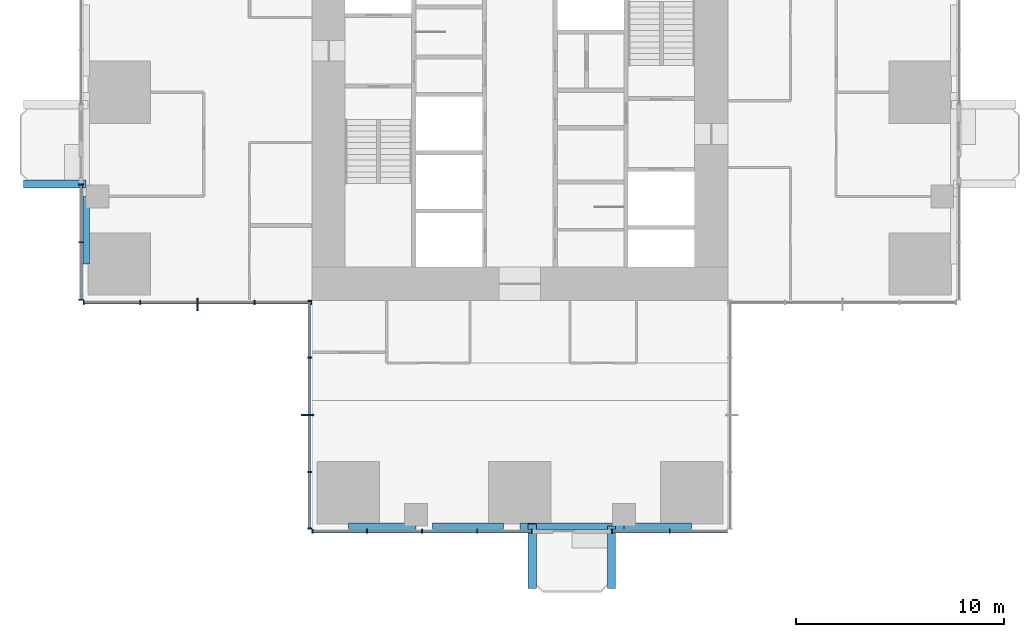
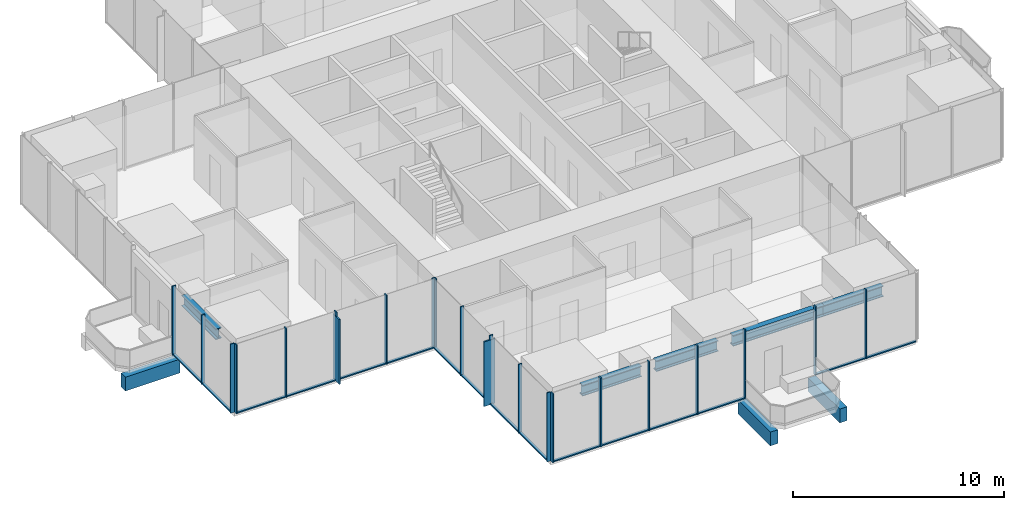
# One storey, part 2 of 13: 38 members, 8 beams, 5 elements without a shape of their own.
"""IFC4 building model written with IfcOpenShell, lengths in metres."""

from ifc_helpers import new_model, si_unit, direction, frame, origin, origin_2d, place, context, subcontext, project, spatial, rectangle, i_section, extrude, material, material_profile, profile_set, type_object, element, aggregate, save


model = new_model("IFC4")

# Units and contexts
model_context = context("Model", 3, precision=1e-05, world=origin(), true_north=direction((0.0, 1.0)))
body_context = subcontext(model_context, "Body", "Model", "MODEL_VIEW")
ifc_project = project(units=[si_unit("LENGTHUNIT", "METRE"), si_unit("AREAUNIT", "SQUARE_METRE"), si_unit("VOLUMEUNIT", "CUBIC_METRE"), si_unit("PLANEANGLEUNIT", "RADIAN"), si_unit("MASSUNIT", "GRAM", prefix="KILO")], contexts=[model_context])

# Site, building, storey
site_placement = place(None, origin())
site = spatial("IfcSite", under=ifc_project, at=site_placement, CompositionType="ELEMENT")
building_placement = place(site_placement, origin())
building = spatial("IfcBuilding", under=site, at=building_placement, Name="Svetlomir Tower", CompositionType="ELEMENT")
storey_placement = place(building_placement, frame((0.0, 0.0, 136.5)))
storey = spatial("IfcBuildingStorey", under=building, at=storey_placement, Name="L32", CompositionType="ELEMENT", Elevation=136.5)

# Beams
ifc_material_1 = material(Name="Concrete C60/75", Category="concrete")
ifc_material_profile_1 = material_profile(ifc_material_1, rectangle(XDim=0.39990234375, YDim=0.800048828125, at=origin_2d()), Name="RC 400x800")
ifc_profile_set_1 = profile_set([ifc_material_profile_1], Name="Concrete C60/75")
beam_type_1 = type_object("IfcBeamType", Name="BALCONY RIB RC 400x800", PredefinedType="BEAM", material=ifc_profile_set_1)
beam_1_placement = place(storey_placement, frame((21.60009765625, 0.25, -0.64990234375), z_axis=(0.0, -1.0, 0.0), x_axis=(1.0, 0.0, 0.0)))
element("IfcBeam", 1, at=beam_1_placement, inside=storey, type_object=beam_type_1, Name="Balcony rib S 1 L32", PredefinedType="BEAM", context=body_context, shape_type="SweptSolid", body=[
    extrude(rectangle(XDim=0.39990234375, YDim=0.800048828125, at=origin_2d()), origin(), (0.0, 0.0, 1.0), 3.10009765625),
])
for number, where, z_axis, x_axis, name in (
    (2, (25.39990234375, 0.14990234375, -0.64990234375), (0.0, -1.0, 0.0), (1.0, 0.0, 0.0), "Balcony rib S 2 L32"),
    (3, (0.14990234375, 16.60009765625, -0.64990234375), (-1.0, 0.0, 0.0), (0.0, -1.0, 0.0), "Balcony rib W 1 L32"),
):
    element("IfcBeam", number, at=place(storey_placement, frame(where, z_axis=z_axis, x_axis=x_axis)), inside=storey, type_object=beam_type_1, Name=name, PredefinedType="BEAM", context=body_context, shape_type="SweptSolid", body=[
        extrude(rectangle(XDim=0.39990234375, YDim=0.800048828125, at=origin_2d()), origin(), (0.0, 0.0, 1.0), 3.0),
    ])

# Curtain wall, member
ifc_material_2 = material(Name="Bronze anodised aluminium curtain wall", Category="aluminium")
curtain_wall_type = type_object("IfcCurtainWallType", Name="CURTAIN WALL CW1 TOWER OFFICE", PredefinedType="NOTDEFINED", material=ifc_material_2)
curtain_wall_1_placement = place(storey_placement, origin())
curtain_wall_1 = element("IfcCurtainWall", 4, at=curtain_wall_1_placement, inside=storey, type_object=curtain_wall_type, Name="Curtain wall CW1 L32", PredefinedType="NOTDEFINED")
ifc_material_3 = material(Name="Bronze anodised aluminium", Category="aluminium")
ifc_material_profile_2 = material_profile(ifc_material_3, rectangle(XDim=0.080078125, YDim=0.60009765625, at=origin_2d()), Name="FIN 80x600")
ifc_profile_set_2 = profile_set([ifc_material_profile_2], Name="Bronze anodised aluminium 6063-T6")
member_type_1 = type_object("IfcMemberType", Name="BRONZE FIN 80x600", PredefinedType="USERDEFINED", material=ifc_profile_set_2)
member_1_placement = place(storey_placement, frame((5.5, 10.800048828125, 0.0), z_axis=(0.0, 0.0, 1.0), x_axis=(1.0, 0.0, 0.0)))
member_1 = element("IfcMember", 5, at=member_1_placement, type_object=member_type_1, Name="Bronze fin L32", ObjectType="FIN", PredefinedType="USERDEFINED", context=body_context, shape_type="SweptSolid", body=[
    extrude(rectangle(XDim=0.080078125, YDim=0.60009765625, at=origin_2d()), origin(), (0.0, 0.0, 1.0), 3.75),
])

curtain_wall_2_placement = place(storey_placement, origin())
curtain_wall_2 = element("IfcCurtainWall", 6, at=curtain_wall_2_placement, inside=storey, type_object=curtain_wall_type, Name="Curtain wall CW1 L32", PredefinedType="NOTDEFINED")
member_2_placement = place(storey_placement, frame((10.800048828125, 5.5, 0.0), z_axis=(0.0, 0.0, 1.0), x_axis=(0.0, 1.0, 0.0)))
member_2 = element("IfcMember", 7, at=member_2_placement, type_object=member_type_1, Name="Bronze fin L32", ObjectType="FIN", PredefinedType="USERDEFINED", context=body_context, shape_type="SweptSolid", body=[
    extrude(rectangle(XDim=0.080078125, YDim=0.60009765625, at=origin_2d()), origin(), (0.0, 0.0, 1.0), 3.75),
])

# Curtain wall, members
curtain_wall_3_placement = place(storey_placement, origin())
curtain_wall_3 = element("IfcCurtainWall", 8, at=curtain_wall_3_placement, inside=storey, type_object=curtain_wall_type, Name="Curtain wall CW1 L32", PredefinedType="NOTDEFINED")
ifc_material_4 = material(Name="Bronze anodised aluminium", Category="aluminium")
ifc_material_profile_3 = material_profile(ifc_material_4, rectangle(XDim=0.06494140625, YDim=0.199951171875, at=origin_2d()), Name="AL 65x200")
ifc_profile_set_3 = profile_set([ifc_material_profile_3], Name="Bronze anodised aluminium 6063-T6")
member_type_2 = type_object("IfcMemberType", Name="CW1 MULLION 65x200", PredefinedType="MULLION", material=ifc_profile_set_3)
member_3_placement = place(storey_placement, frame((11.032470703125, -0.10009765625, 0.0), z_axis=(0.0, 0.0, 1.0), x_axis=(1.0, 0.0, 0.0)))
member_3 = element("IfcMember", 9, at=member_3_placement, type_object=member_type_2, Name="CW1 mullion 1", PredefinedType="MULLION", context=body_context, shape_type="SweptSolid", body=[
    extrude(rectangle(XDim=0.06494140625, YDim=0.199951171875, at=origin_2d()), origin(), (0.0, 0.0, 1.0), 4.0),
])
member_4_placement = place(storey_placement, frame((13.64990234375, -0.10009765625, 0.0), z_axis=(0.0, 0.0, 1.0), x_axis=(1.0, 0.0, 0.0)))
member_4 = element("IfcMember", 10, at=member_4_placement, type_object=member_type_2, Name="CW1 mullion 2", PredefinedType="MULLION", context=body_context, shape_type="SweptSolid", body=[
    extrude(rectangle(XDim=0.06494140625, YDim=0.199951171875, at=origin_2d()), origin(), (0.0, 0.0, 1.0), 4.0),
])
member_5_placement = place(storey_placement, frame((16.300048828125, -0.10009765625, 0.0), z_axis=(0.0, 0.0, 1.0), x_axis=(1.0, 0.0, 0.0)))
member_5 = element("IfcMember", 11, at=member_5_placement, type_object=member_type_2, Name="CW1 mullion 3", PredefinedType="MULLION", context=body_context, shape_type="SweptSolid", body=[
    extrude(rectangle(XDim=0.06494140625, YDim=0.199951171875, at=origin_2d()), origin(), (0.0, 0.0, 1.0), 4.0),
])
member_6_placement = place(storey_placement, frame((18.949951171875, -0.10009765625, 0.0), z_axis=(0.0, 0.0, 1.0), x_axis=(1.0, 0.0, 0.0)))
member_6 = element("IfcMember", 12, at=member_6_placement, type_object=member_type_2, Name="CW1 mullion 4", PredefinedType="MULLION", context=body_context, shape_type="SweptSolid", body=[
    extrude(rectangle(XDim=0.06494140625, YDim=0.199951171875, at=origin_2d()), origin(), (0.0, 0.0, 1.0), 4.0),
])
member_7_placement = place(storey_placement, frame((21.5673828125, -0.10009765625, 0.0), z_axis=(0.0, 0.0, 1.0), x_axis=(1.0, 0.0, 0.0)))
member_7 = element("IfcMember", 13, at=member_7_placement, type_object=member_type_2, Name="CW1 mullion 5", PredefinedType="MULLION", context=body_context, shape_type="SweptSolid", body=[
    extrude(rectangle(XDim=0.06494140625, YDim=0.199951171875, at=origin_2d()), origin(), (0.0, 0.0, 1.0), 4.0),
])

curtain_wall_4_placement = place(storey_placement, origin())
curtain_wall_4 = element("IfcCurtainWall", 14, at=curtain_wall_4_placement, inside=storey, type_object=curtain_wall_type, Name="Curtain wall CW1 L32", PredefinedType="NOTDEFINED")
member_8_placement = place(storey_placement, frame((25.4326171875, -0.10009765625, 0.0), z_axis=(0.0, 0.0, 1.0), x_axis=(1.0, 0.0, 0.0)))
member_8 = element("IfcMember", 15, at=member_8_placement, type_object=member_type_2, Name="CW1 mullion 1", PredefinedType="MULLION", context=body_context, shape_type="SweptSolid", body=[
    extrude(rectangle(XDim=0.06494140625, YDim=0.199951171875, at=origin_2d()), origin(), (0.0, 0.0, 1.0), 4.0),
])
member_9_placement = place(storey_placement, frame((28.199951171875, -0.10009765625, 0.0), z_axis=(0.0, 0.0, 1.0), x_axis=(1.0, 0.0, 0.0)))
member_9 = element("IfcMember", 16, at=member_9_placement, type_object=member_type_2, Name="CW1 mullion 2", PredefinedType="MULLION", context=body_context, shape_type="SweptSolid", body=[
    extrude(rectangle(XDim=0.06494140625, YDim=0.199951171875, at=origin_2d()), origin(), (0.0, 0.0, 1.0), 4.0),
])

curtain_wall_5_placement = place(storey_placement, origin())
curtain_wall_5 = element("IfcCurtainWall", 17, at=curtain_wall_5_placement, inside=storey, type_object=curtain_wall_type, Name="Curtain wall CW1 L32", PredefinedType="NOTDEFINED")
member_10_placement = place(storey_placement, frame((-0.10009765625, 16.5673828125, 0.0), z_axis=(0.0, 0.0, 1.0), x_axis=(0.0, -1.0, 0.0)))
member_10 = element("IfcMember", 18, at=member_10_placement, type_object=member_type_2, Name="CW1 mullion 1", PredefinedType="MULLION", context=body_context, shape_type="SweptSolid", body=[
    extrude(rectangle(XDim=0.06494140625, YDim=0.199951171875, at=origin_2d()), origin(), (0.0, 0.0, 1.0), 4.0),
])
member_11_placement = place(storey_placement, frame((-0.10009765625, 13.800048828125, 0.0), z_axis=(0.0, 0.0, 1.0), x_axis=(0.0, -1.0, 0.0)))
member_11 = element("IfcMember", 19, at=member_11_placement, type_object=member_type_2, Name="CW1 mullion 2", PredefinedType="MULLION", context=body_context, shape_type="SweptSolid", body=[
    extrude(rectangle(XDim=0.06494140625, YDim=0.199951171875, at=origin_2d()), origin(), (0.0, 0.0, 1.0), 4.0),
])
member_12_placement = place(storey_placement, frame((-0.10009765625, 11.032470703125, 0.0), z_axis=(0.0, 0.0, 1.0), x_axis=(0.0, -1.0, 0.0)))
member_12 = element("IfcMember", 20, at=member_12_placement, type_object=member_type_2, Name="CW1 mullion 3", PredefinedType="MULLION", context=body_context, shape_type="SweptSolid", body=[
    extrude(rectangle(XDim=0.06494140625, YDim=0.199951171875, at=origin_2d()), origin(), (0.0, 0.0, 1.0), 4.0),
])

# Member
member_13_placement = place(storey_placement, frame((0.032470703125, 10.89990234375, 0.0), z_axis=(0.0, 0.0, 1.0), x_axis=(1.0, 0.0, 0.0)))
member_13 = element("IfcMember", 21, at=member_13_placement, type_object=member_type_2, Name="CW1 mullion 1", PredefinedType="MULLION", context=body_context, shape_type="SweptSolid", body=[
    extrude(rectangle(XDim=0.06494140625, YDim=0.199951171875, at=origin_2d()), origin(), (0.0, 0.0, 1.0), 4.0),
])

member_14_placement = place(storey_placement, frame((2.75, 10.89990234375, 0.0), z_axis=(0.0, 0.0, 1.0), x_axis=(1.0, 0.0, 0.0)))
member_14 = element("IfcMember", 22, at=member_14_placement, type_object=member_type_2, Name="CW1 mullion 2", PredefinedType="MULLION", context=body_context, shape_type="SweptSolid", body=[
    extrude(rectangle(XDim=0.06494140625, YDim=0.199951171875, at=origin_2d()), origin(), (0.0, 0.0, 1.0), 4.0),
])

member_15_placement = place(storey_placement, frame((5.5, 10.89990234375, 0.0), z_axis=(0.0, 0.0, 1.0), x_axis=(1.0, 0.0, 0.0)))
member_15 = element("IfcMember", 23, at=member_15_placement, type_object=member_type_2, Name="CW1 mullion 3", PredefinedType="MULLION", context=body_context, shape_type="SweptSolid", body=[
    extrude(rectangle(XDim=0.06494140625, YDim=0.199951171875, at=origin_2d()), origin(), (0.0, 0.0, 1.0), 4.0),
])

member_16_placement = place(storey_placement, frame((8.25, 10.89990234375, 0.0), z_axis=(0.0, 0.0, 1.0), x_axis=(1.0, 0.0, 0.0)))
member_16 = element("IfcMember", 24, at=member_16_placement, type_object=member_type_2, Name="CW1 mullion 4", PredefinedType="MULLION", context=body_context, shape_type="SweptSolid", body=[
    extrude(rectangle(XDim=0.06494140625, YDim=0.199951171875, at=origin_2d()), origin(), (0.0, 0.0, 1.0), 4.0),
])

member_17_placement = place(storey_placement, frame((10.967529296875, 10.89990234375, 0.0), z_axis=(0.0, 0.0, 1.0), x_axis=(1.0, 0.0, 0.0)))
member_17 = element("IfcMember", 25, at=member_17_placement, type_object=member_type_2, Name="CW1 mullion 5", PredefinedType="MULLION", context=body_context, shape_type="SweptSolid", body=[
    extrude(rectangle(XDim=0.06494140625, YDim=0.199951171875, at=origin_2d()), origin(), (0.0, 0.0, 1.0), 4.0),
])

member_18_placement = place(storey_placement, frame((10.89990234375, 10.967529296875, 0.0), z_axis=(0.0, 0.0, 1.0), x_axis=(0.0, -1.0, 0.0)))
member_18 = element("IfcMember", 26, at=member_18_placement, type_object=member_type_2, Name="CW1 mullion 1", PredefinedType="MULLION", context=body_context, shape_type="SweptSolid", body=[
    extrude(rectangle(XDim=0.06494140625, YDim=0.199951171875, at=origin_2d()), origin(), (0.0, 0.0, 1.0), 4.0),
])

member_19_placement = place(storey_placement, frame((10.89990234375, 8.25, 0.0), z_axis=(0.0, 0.0, 1.0), x_axis=(0.0, -1.0, 0.0)))
member_19 = element("IfcMember", 27, at=member_19_placement, type_object=member_type_2, Name="CW1 mullion 2", PredefinedType="MULLION", context=body_context, shape_type="SweptSolid", body=[
    extrude(rectangle(XDim=0.06494140625, YDim=0.199951171875, at=origin_2d()), origin(), (0.0, 0.0, 1.0), 4.0),
])

member_20_placement = place(storey_placement, frame((10.89990234375, 5.5, 0.0), z_axis=(0.0, 0.0, 1.0), x_axis=(0.0, -1.0, 0.0)))
member_20 = element("IfcMember", 28, at=member_20_placement, type_object=member_type_2, Name="CW1 mullion 3", PredefinedType="MULLION", context=body_context, shape_type="SweptSolid", body=[
    extrude(rectangle(XDim=0.06494140625, YDim=0.199951171875, at=origin_2d()), origin(), (0.0, 0.0, 1.0), 4.0),
])

member_21_placement = place(storey_placement, frame((10.89990234375, 2.75, 0.0), z_axis=(0.0, 0.0, 1.0), x_axis=(0.0, -1.0, 0.0)))
member_21 = element("IfcMember", 29, at=member_21_placement, type_object=member_type_2, Name="CW1 mullion 4", PredefinedType="MULLION", context=body_context, shape_type="SweptSolid", body=[
    extrude(rectangle(XDim=0.06494140625, YDim=0.199951171875, at=origin_2d()), origin(), (0.0, 0.0, 1.0), 4.0),
])

member_22_placement = place(storey_placement, frame((10.89990234375, 0.032470703125, 0.0), z_axis=(0.0, 0.0, 1.0), x_axis=(0.0, -1.0, 0.0)))
member_22 = element("IfcMember", 30, at=member_22_placement, type_object=member_type_2, Name="CW1 mullion 5", PredefinedType="MULLION", context=body_context, shape_type="SweptSolid", body=[
    extrude(rectangle(XDim=0.06494140625, YDim=0.199951171875, at=origin_2d()), origin(), (0.0, 0.0, 1.0), 4.0),
])

ifc_material_5 = material(Name="Bronze anodised aluminium", Category="aluminium")
ifc_material_profile_4 = material_profile(ifc_material_5, rectangle(XDim=0.139892578125, YDim=0.06494140625, at=origin_2d()), Name="AL 140x65")
ifc_profile_set_4 = profile_set([ifc_material_profile_4], Name="Bronze anodised aluminium 6063-T6")
member_type_3 = type_object("IfcMemberType", Name="CW1 TRANSOM 65x140", PredefinedType="USERDEFINED", material=ifc_profile_set_4)
member_23_placement = place(storey_placement, frame((11.06494140625, -0.10009765625, 0.032470703125), z_axis=(1.0, 0.0, 0.0), x_axis=(0.0, 1.0, 0.0)))
member_23 = element("IfcMember", 31, at=member_23_placement, type_object=member_type_3, Name="CW1 transom 1.1", ObjectType="TRANSOM", PredefinedType="USERDEFINED", context=body_context, shape_type="SweptSolid", body=[
    extrude(rectangle(XDim=0.139892578125, YDim=0.06494140625, at=origin_2d()), origin(), (0.0, 0.0, 1.0), 2.552490234375),
])

member_24_placement = place(storey_placement, frame((13.6826171875, -0.10009765625, 0.032470703125), z_axis=(1.0, 0.0, 0.0), x_axis=(0.0, 1.0, 0.0)))
member_24 = element("IfcMember", 32, at=member_24_placement, type_object=member_type_3, Name="CW1 transom 2.1", ObjectType="TRANSOM", PredefinedType="USERDEFINED", context=body_context, shape_type="SweptSolid", body=[
    extrude(rectangle(XDim=0.139892578125, YDim=0.06494140625, at=origin_2d()), origin(), (0.0, 0.0, 1.0), 2.5849609375),
])

member_25_placement = place(storey_placement, frame((16.33251953125, -0.10009765625, 0.032470703125), z_axis=(1.0, 0.0, 0.0), x_axis=(0.0, 1.0, 0.0)))
member_25 = element("IfcMember", 33, at=member_25_placement, type_object=member_type_3, Name="CW1 transom 3.1", ObjectType="TRANSOM", PredefinedType="USERDEFINED", context=body_context, shape_type="SweptSolid", body=[
    extrude(rectangle(XDim=0.139892578125, YDim=0.06494140625, at=origin_2d()), origin(), (0.0, 0.0, 1.0), 2.5849609375),
])

member_26_placement = place(storey_placement, frame((18.982421875, -0.10009765625, 0.032470703125), z_axis=(1.0, 0.0, 0.0), x_axis=(0.0, 1.0, 0.0)))
member_26 = element("IfcMember", 34, at=member_26_placement, type_object=member_type_3, Name="CW1 transom 4.1", ObjectType="TRANSOM", PredefinedType="USERDEFINED", context=body_context, shape_type="SweptSolid", body=[
    extrude(rectangle(XDim=0.139892578125, YDim=0.06494140625, at=origin_2d()), origin(), (0.0, 0.0, 1.0), 2.552490234375),
])

aggregate(curtain_wall_3, [member_3, member_4, member_5, member_6, member_7, member_23, member_24, member_25, member_26])

member_27_placement = place(storey_placement, frame((25.465087890625, -0.10009765625, 0.032470703125), z_axis=(1.0, 0.0, 0.0), x_axis=(0.0, 1.0, 0.0)))
member_27 = element("IfcMember", 35, at=member_27_placement, type_object=member_type_3, Name="CW1 transom 1.1", ObjectType="TRANSOM", PredefinedType="USERDEFINED", context=body_context, shape_type="SweptSolid", body=[
    extrude(rectangle(XDim=0.139892578125, YDim=0.06494140625, at=origin_2d()), origin(), (0.0, 0.0, 1.0), 2.702392578125),
])

member_28_placement = place(storey_placement, frame((28.232421875, -0.10009765625, 0.032470703125), z_axis=(1.0, 0.0, 0.0), x_axis=(0.0, 1.0, 0.0)))
member_28 = element("IfcMember", 36, at=member_28_placement, type_object=member_type_3, Name="CW1 transom 2.1", ObjectType="TRANSOM", PredefinedType="USERDEFINED", context=body_context, shape_type="SweptSolid", body=[
    extrude(rectangle(XDim=0.139892578125, YDim=0.06494140625, at=origin_2d()), origin(), (0.0, 0.0, 1.0), 2.70263671875),
])

aggregate(curtain_wall_4, [member_8, member_9, member_27, member_28])

member_29_placement = place(storey_placement, frame((-0.10009765625, 16.534912109375, 0.032470703125), z_axis=(0.0, -1.0, 0.0), x_axis=(1.0, 0.0, 0.0)))
member_29 = element("IfcMember", 37, at=member_29_placement, type_object=member_type_3, Name="CW1 transom 1.1", ObjectType="TRANSOM", PredefinedType="USERDEFINED", context=body_context, shape_type="SweptSolid", body=[
    extrude(rectangle(XDim=0.139892578125, YDim=0.06494140625, at=origin_2d()), origin(), (0.0, 0.0, 1.0), 2.702392578125),
])

member_30_placement = place(storey_placement, frame((-0.10009765625, 13.767578125, 0.032470703125), z_axis=(0.0, -1.0, 0.0), x_axis=(1.0, 0.0, 0.0)))
member_30 = element("IfcMember", 38, at=member_30_placement, type_object=member_type_3, Name="CW1 transom 2.1", ObjectType="TRANSOM", PredefinedType="USERDEFINED", context=body_context, shape_type="SweptSolid", body=[
    extrude(rectangle(XDim=0.139892578125, YDim=0.06494140625, at=origin_2d()), origin(), (0.0, 0.0, 1.0), 2.70263671875),
])

aggregate(curtain_wall_5, [member_10, member_11, member_12, member_29, member_30])

member_31_placement = place(storey_placement, frame((0.06494140625, 10.89990234375, 0.032470703125), z_axis=(1.0, 0.0, 0.0), x_axis=(0.0, 1.0, 0.0)))
member_31 = element("IfcMember", 39, at=member_31_placement, type_object=member_type_3, Name="CW1 transom 1.1", ObjectType="TRANSOM", PredefinedType="USERDEFINED", context=body_context, shape_type="SweptSolid", body=[
    extrude(rectangle(XDim=0.139892578125, YDim=0.06494140625, at=origin_2d()), origin(), (0.0, 0.0, 1.0), 2.652587890625),
])

member_32_placement = place(storey_placement, frame((2.782470703125, 10.89990234375, 0.032470703125), z_axis=(1.0, 0.0, 0.0), x_axis=(0.0, 1.0, 0.0)))
member_32 = element("IfcMember", 40, at=member_32_placement, type_object=member_type_3, Name="CW1 transom 2.1", ObjectType="TRANSOM", PredefinedType="USERDEFINED", context=body_context, shape_type="SweptSolid", body=[
    extrude(rectangle(XDim=0.139892578125, YDim=0.06494140625, at=origin_2d()), origin(), (0.0, 0.0, 1.0), 2.68505859375),
])

member_33_placement = place(storey_placement, frame((5.532470703125, 10.89990234375, 0.032470703125), z_axis=(1.0, 0.0, 0.0), x_axis=(0.0, 1.0, 0.0)))
member_33 = element("IfcMember", 41, at=member_33_placement, type_object=member_type_3, Name="CW1 transom 3.1", ObjectType="TRANSOM", PredefinedType="USERDEFINED", context=body_context, shape_type="SweptSolid", body=[
    extrude(rectangle(XDim=0.139892578125, YDim=0.06494140625, at=origin_2d()), origin(), (0.0, 0.0, 1.0), 2.68505859375),
])

member_34_placement = place(storey_placement, frame((8.282470703125, 10.89990234375, 0.032470703125), z_axis=(1.0, 0.0, 0.0), x_axis=(0.0, 1.0, 0.0)))
member_34 = element("IfcMember", 42, at=member_34_placement, type_object=member_type_3, Name="CW1 transom 4.1", ObjectType="TRANSOM", PredefinedType="USERDEFINED", context=body_context, shape_type="SweptSolid", body=[
    extrude(rectangle(XDim=0.139892578125, YDim=0.06494140625, at=origin_2d()), origin(), (0.0, 0.0, 1.0), 2.652587890625),
])

aggregate(curtain_wall_1, [member_13, member_14, member_15, member_16, member_17, member_31, member_32, member_33, member_34, member_1])

member_35_placement = place(storey_placement, frame((10.89990234375, 10.93505859375, 0.032470703125), z_axis=(0.0, -1.0, 0.0), x_axis=(1.0, 0.0, 0.0)))
member_35 = element("IfcMember", 43, at=member_35_placement, type_object=member_type_3, Name="CW1 transom 1.1", ObjectType="TRANSOM", PredefinedType="USERDEFINED", context=body_context, shape_type="SweptSolid", body=[
    extrude(rectangle(XDim=0.139892578125, YDim=0.06494140625, at=origin_2d()), origin(), (0.0, 0.0, 1.0), 2.652587890625),
])

member_36_placement = place(storey_placement, frame((10.89990234375, 8.217529296875, 0.032470703125), z_axis=(0.0, -1.0, 0.0), x_axis=(1.0, 0.0, 0.0)))
member_36 = element("IfcMember", 44, at=member_36_placement, type_object=member_type_3, Name="CW1 transom 2.1", ObjectType="TRANSOM", PredefinedType="USERDEFINED", context=body_context, shape_type="SweptSolid", body=[
    extrude(rectangle(XDim=0.139892578125, YDim=0.06494140625, at=origin_2d()), origin(), (0.0, 0.0, 1.0), 2.68505859375),
])

member_37_placement = place(storey_placement, frame((10.89990234375, 5.467529296875, 0.032470703125), z_axis=(0.0, -1.0, 0.0), x_axis=(1.0, 0.0, 0.0)))
member_37 = element("IfcMember", 45, at=member_37_placement, type_object=member_type_3, Name="CW1 transom 3.1", ObjectType="TRANSOM", PredefinedType="USERDEFINED", context=body_context, shape_type="SweptSolid", body=[
    extrude(rectangle(XDim=0.139892578125, YDim=0.06494140625, at=origin_2d()), origin(), (0.0, 0.0, 1.0), 2.68505859375),
])

member_38_placement = place(storey_placement, frame((10.89990234375, 2.717529296875, 0.032470703125), z_axis=(0.0, -1.0, 0.0), x_axis=(1.0, 0.0, 0.0)))
member_38 = element("IfcMember", 46, at=member_38_placement, type_object=member_type_3, Name="CW1 transom 4.1", ObjectType="TRANSOM", PredefinedType="USERDEFINED", context=body_context, shape_type="SweptSolid", body=[
    extrude(rectangle(XDim=0.139892578125, YDim=0.06494140625, at=origin_2d()), origin(), (0.0, 0.0, 1.0), 2.652587890625),
])

aggregate(curtain_wall_2, [member_18, member_19, member_20, member_21, member_22, member_35, member_36, member_37, member_38, member_2])

# Beams
ifc_material_6 = material(Name="Steel S355", Category="steel")
ifc_material_profile_5 = material_profile(ifc_material_6, i_section(OverallWidth=0.304931640625, OverallDepth=0.6201171875, WebThickness=0.02099609375, FlangeThickness=0.0400390625, FilletRadius=0.027099609375, at=origin_2d()), Name="HEM 600")
ifc_profile_set_5 = profile_set([ifc_material_profile_5], Name="Steel S355")
beam_type_2 = type_object("IfcBeamType", Name="EDGE BEAM HEM 600", PredefinedType="SPANDREL", material=ifc_profile_set_5)
for number, where, z_axis, x_axis, name in (
    (47, (12.75, 0.152587890625, 3.43994140625), (1.0, 0.0, 0.0), (0.0, 1.0, 0.0), "Edge beam 11/0 to 16/0 under L33"),
    (48, (0.152587890625, 12.75, 3.43994140625), (0.0, 1.0, 0.0), (-1.0, 0.0, 0.0), "Edge beam 0/11 to 0/16 under L33"),
):
    element("IfcBeam", number, at=place(storey_placement, frame(where, z_axis=z_axis, x_axis=x_axis)), inside=storey, type_object=beam_type_2, Name=name, PredefinedType="SPANDREL", context=body_context, shape_type="SweptSolid", body=[
        extrude(i_section(OverallWidth=0.304931640625, OverallDepth=0.6201171875, WebThickness=0.02099609375, FlangeThickness=0.0400390625, FilletRadius=0.027099609375, at=origin_2d()), origin(), (0.0, 0.0, 1.0), 3.25),
    ])
beam_2_placement = place(storey_placement, frame((16.800048828125, 0.152587890625, 3.43994140625), z_axis=(1.0, 0.0, 0.0), x_axis=(0.0, 1.0, 0.0)))
element("IfcBeam", 49, at=beam_2_placement, inside=storey, type_object=beam_type_2, Name="Edge beam 16/0 to 21/0 under L33", PredefinedType="SPANDREL", context=body_context, shape_type="SweptSolid", body=[
    extrude(i_section(OverallWidth=0.304931640625, OverallDepth=0.6201171875, WebThickness=0.02099609375, FlangeThickness=0.0400390625, FilletRadius=0.027099609375, at=origin_2d()), origin(), (0.0, 0.0, 1.0), 3.39990234375),
])
beam_3_placement = place(storey_placement, frame((21.0, 0.152587890625, 3.43994140625), z_axis=(1.0, 0.0, 0.0), x_axis=(0.0, 1.0, 0.0)))
element("IfcBeam", 50, at=beam_3_placement, inside=storey, type_object=beam_type_2, Name="Edge beam 21/0 to 26/0 under L33", PredefinedType="SPANDREL", context=body_context, shape_type="SweptSolid", body=[
    extrude(i_section(OverallWidth=0.304931640625, OverallDepth=0.6201171875, WebThickness=0.02099609375, FlangeThickness=0.0400390625, FilletRadius=0.027099609375, at=origin_2d()), origin(), (0.0, 0.0, 1.0), 5.0),
])
beam_4_placement = place(storey_placement, frame((26.0, 0.152587890625, 3.43994140625), z_axis=(1.0, 0.0, 0.0), x_axis=(0.0, 1.0, 0.0)))
element("IfcBeam", 51, at=beam_4_placement, inside=storey, type_object=beam_type_2, Name="Edge beam 26/0 to 31/0 under L33", PredefinedType="SPANDREL", context=body_context, shape_type="SweptSolid", body=[
    extrude(i_section(OverallWidth=0.304931640625, OverallDepth=0.6201171875, WebThickness=0.02099609375, FlangeThickness=0.0400390625, FilletRadius=0.027099609375, at=origin_2d()), origin(), (0.0, 0.0, 1.0), 3.25),
])

save(model, "model.ifc")
